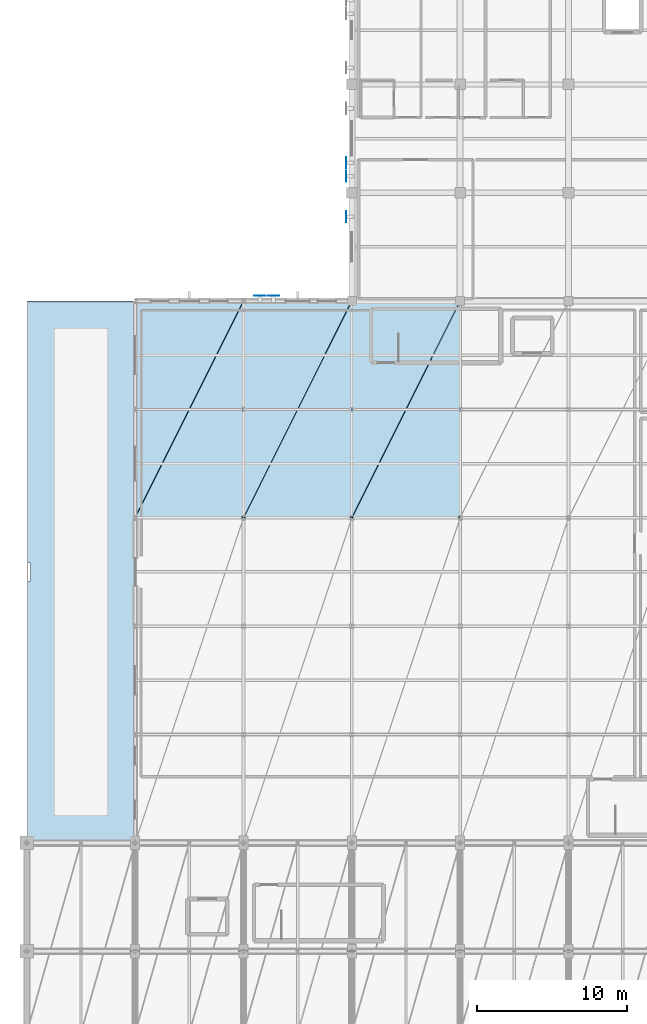
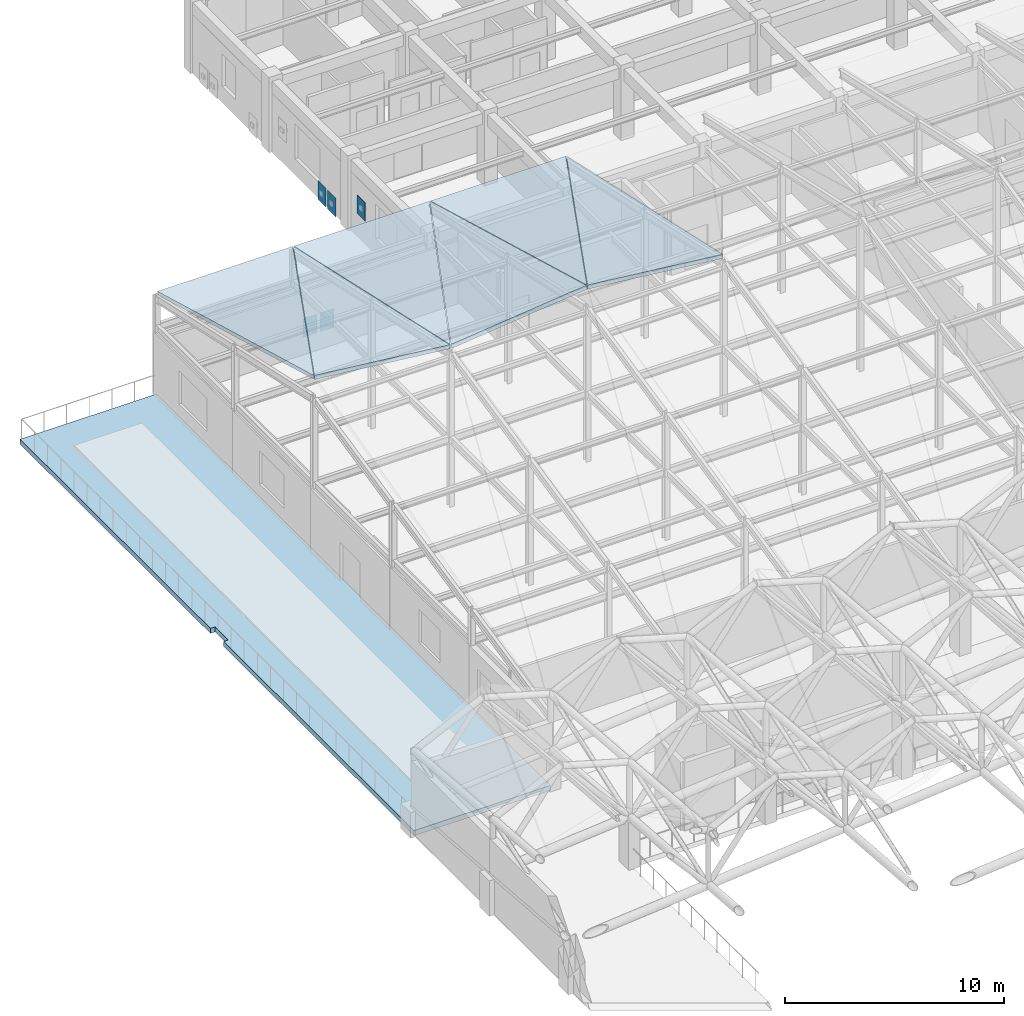
# One storey, part 69 of 113: 7 slabs, 5 plates.
"""IFC4 building model written with IfcOpenShell, lengths in metres."""

from ifc_helpers import new_model, si_unit, direction, frame, origin, origin_2d, place, context, subcontext, project, spatial, polyline, rectangle, outline, extrude, material, layer, layer_set, type_object, element, save


model = new_model("IFC4")

# Units and contexts
model_context = context("Model", 3, precision=1e-05, world=origin(), true_north=direction((0.0, 1.0)))
body_context = subcontext(model_context, "Body", "Model", "MODEL_VIEW")
ifc_project = project(units=[si_unit("LENGTHUNIT", "METRE"), si_unit("AREAUNIT", "SQUARE_METRE"), si_unit("VOLUMEUNIT", "CUBIC_METRE"), si_unit("PLANEANGLEUNIT", "RADIAN"), si_unit("MASSUNIT", "GRAM", prefix="KILO")], contexts=[model_context])

# Site, building, storey
site_placement = place(None, origin())
site = spatial("IfcSite", under=ifc_project, at=site_placement, CompositionType="ELEMENT")
building_placement = place(site_placement, origin())
building = spatial("IfcBuilding", under=site, at=building_placement, Name="Carrowvane Square Congress Hotel", CompositionType="ELEMENT")
storey_placement = place(building_placement, frame((0.0, 0.0, 15.0)))
storey = spatial("IfcBuildingStorey", under=building, at=storey_placement, Name="L03", CompositionType="ELEMENT", Elevation=15.0)

# Plates
ifc_material_1 = material(Name="Champagne-gold anodised aluminium", Category="aluminium")
ifc_layer_1 = layer(ifc_material_1, 0.011962890625)
ifc_layer_set_1 = layer_set([ifc_layer_1], Name="Champagne-gold anodised aluminium")
plate_type_1 = type_object("IfcPlateType", Name="PLT-PIX-GOLD12", PredefinedType="SHEET", material=ifc_layer_set_1)
plate_placement = place(storey_placement, frame((32.833984375, 97.39990234375, 1.52490234375), z_axis=(0.0, 0.0, 1.0), x_axis=(0.0, 1.0, 0.0)))
element("IfcPlate", 1, at=plate_placement, inside=storey, type_object=plate_type_1, Name="Champagne-gold pixel screen plate S-204", PredefinedType="SHEET", context=body_context, shape_type="SweptSolid", body=[
    extrude(rectangle(XDim=0.738037109375, YDim=0.011962890625, at=origin_2d()), origin(), (0.0, 0.0, 1.0), 1.050048828125),
])
ifc_material_2 = material(Name="Champagne-gold anodised aluminium", Category="aluminium")
ifc_layer_2 = layer(ifc_material_2, 0.008056640625)
ifc_layer_set_2 = layer_set([ifc_layer_2], Name="Champagne-gold anodised aluminium")
plate_type_2 = type_object("IfcPlateType", Name="PLT-PIX-GOLD8", PredefinedType="SHEET", material=ifc_layer_set_2)
for number, where, z_axis, x_axis, name in (
    (2, (27.10009765625, 92.1640625, 0.15478515625), (0.0, 0.0, 1.0), (1.0, 0.0, 0.0), "Champagne-gold pixel screen plate S-202"),
    (3, (28.0, 92.1640625, 0.15478515625), (0.0, 0.0, 1.0), (1.0, 0.0, 0.0), "Champagne-gold pixel screen plate S-203"),
    (4, (32.8359375, 100.10009765625, 0.15478515625), (0.0, 0.0, 1.0), (0.0, 1.0, 0.0), "Champagne-gold pixel screen plate S-205"),
    (5, (32.8359375, 101.0, 0.15478515625), (0.0, 0.0, 1.0), (0.0, 1.0, 0.0), "Champagne-gold pixel screen plate S-206"),
):
    element("IfcPlate", number, at=place(storey_placement, frame(where, z_axis=z_axis, x_axis=x_axis)), inside=storey, type_object=plate_type_2, Name=name, PredefinedType="SHEET", context=body_context, shape_type="SweptSolid", body=[
        extrude(rectangle(XDim=0.738037109375, YDim=0.008056640625, at=origin_2d()), origin(), (0.0, 0.0, 1.0), 1.050048828125),
    ])

# Slabs
ifc_material_3 = material(Name="Concrete C35/45", Category="concrete")
ifc_layer_3 = layer(ifc_material_3, 0.199951171875)
ifc_layer_set_3 = layer_set([ifc_layer_3], Name="Concrete C35/45")
slab_type_1 = type_object("IfcSlabType", Name="SLB-ROOF-200", PredefinedType="ROOF", material=ifc_layer_set_3)
slab_1_placement = place(storey_placement, frame((18.83544921875, 77.435302734375, 9.7294921875), z_axis=(0.107811153971, 0.216362054374, 0.970342319239), x_axis=(0.993850919191, 0.001324953369, -0.110718539196)))
element("IfcSlab", 6, at=slab_1_placement, inside=storey, type_object=slab_type_1, Name="Thermal Spa folded triangle roof 3", PredefinedType="ROOF", context=body_context, shape_type="SweptSolid", body=[
    extrude(outline(polyline([(0.0, 0.0), (7.186278853133746, 0.0), (7.568746146064761, 14.653235325130167), (0.0, 0.0)])), origin(), (0.0, 0.0, -1.0), 0.199951171875),
])
slab_2_placement = place(storey_placement, frame((18.81201171875, 77.448486328125, 9.727783203125), z_axis=(1.3696689e-05, 0.268314437217, 0.963331387734), x_axis=(0.433679333501, 0.868024795615, -0.241775081205)))
element("IfcSlab", 7, at=slab_2_placement, inside=storey, type_object=slab_type_1, Name="Thermal Spa folded triangle roof 4", PredefinedType="ROOF", context=body_context, shape_type="SweptSolid", body=[
    extrude(outline(polyline([(0.0, 0.0), (16.49280317992369, 9.992007221626409e-16), (13.386618275215406, 6.43153507052473), (0.0, 0.0)])), origin(), (0.0, 0.0, -1.0), 0.199951171875),
])
slab_3_placement = place(storey_placement, frame((26.035400390625, 77.435302734375, 8.935302734375), z_axis=(-0.106438848025, 0.266789394497, 0.957859170554), x_axis=(0.993922159723, 0.00132500305, 0.110077176466)))
element("IfcSlab", 8, at=slab_3_placement, inside=storey, type_object=slab_type_1, Name="Thermal Spa folded triangle roof 7", PredefinedType="ROOF", context=body_context, shape_type="SweptSolid", body=[
    extrude(outline(polyline([(0.0, 0.0), (7.186009401748436, 2.7755575615628914e-17), (6.77664920180982, 14.845265357427952), (0.0, 0.0)])), origin(), (0.0, 0.0, -1.0), 0.199951171875),
])
slab_4_placement = place(storey_placement, frame((26.01220703125, 77.448486328125, 8.930419921875), z_axis=(1.7593297e-05, 0.217621695602, 0.976033194771), x_axis=(0.438292670545, 0.877288500413, -0.19561293922)))
element("IfcSlab", 9, at=slab_4_placement, inside=storey, type_object=slab_type_1, Name="Thermal Spa folded triangle roof 8", PredefinedType="ROOF", context=body_context, shape_type="SweptSolid", body=[
    extrude(outline(polyline([(0.0, 0.0), (16.318647859444376, -5.551115123125783e-16), (13.179753507981165, 6.415362848945687), (0.0, 0.0)])), origin(), (0.0, 0.0, -1.0), 0.199951171875),
])
slab_5_placement = place(storey_placement, frame((33.2353515625, 77.435302734375, 9.7294921875), z_axis=(0.107807511517, 0.216362142853, 0.970342704203), x_axis=(0.993851335693, 0.001324908634, -0.110714800992)))
element("IfcSlab", 10, at=slab_5_placement, inside=storey, type_object=slab_type_1, Name="Thermal Spa folded triangle roof 11", PredefinedType="ROOF", context=body_context, shape_type="SweptSolid", body=[
    extrude(outline(polyline([(0.0, 0.0), (7.186521492569157, 2.7755575615628914e-17), (7.568976220554389, 14.653235653085165), (0.0, 0.0)])), origin(), (0.0, 0.0, -1.0), 0.199951171875),
])
slab_6_placement = place(storey_placement, frame((33.212158203125, 77.448486328125, 9.727783203125), z_axis=(1.3696689e-05, 0.268314437217, 0.963331387734), x_axis=(0.433679333501, 0.868024795615, -0.241775081205)))
element("IfcSlab", 11, at=slab_6_placement, inside=storey, type_object=slab_type_1, Name="Thermal Spa folded triangle roof 12", PredefinedType="ROOF", context=body_context, shape_type="SweptSolid", body=[
    extrude(outline(polyline([(0.0, 0.0), (16.49280317992369, 9.992007221626409e-16), (13.386618275215406, 6.43153507052473), (0.0, 0.0)])), origin(), (0.0, 0.0, -1.0), 0.199951171875),
])
ifc_material_4 = material(Name="Concrete C35/45", Category="concrete")
ifc_layer_4 = layer(ifc_material_4, 0.280029296875)
ifc_layer_set_4 = layer_set([ifc_layer_4], Name="Concrete C35/45")
slab_type_2 = type_object("IfcSlabType", Name="SLB-TER-280", PredefinedType="FLOOR", material=ifc_layer_set_4)
slab_7_placement = place(storey_placement, frame((0.0, 0.0, -0.280029296875)))
element("IfcSlab", 12, at=slab_7_placement, inside=storey, type_object=slab_type_2, Name="L03 Thermal Spa West Terrace", PredefinedType="FLOOR", context=body_context, shape_type="SweptSolid", body=[
    extrude(outline(polyline([(11.60009765625, 55.800048828125), (18.800048828125, 55.800048828125), (18.800048828125, 91.800048828125), (11.60009765625, 91.800048828125), (11.60009765625, 74.39990234375), (11.85009765625, 74.39990234375), (11.85009765625, 73.199951171875), (11.60009765625, 73.199951171875), (11.60009765625, 55.800048828125)])), origin(), (0.0, 0.0, 1.0), 0.280029296875),
])

save(model, "model.ifc")
